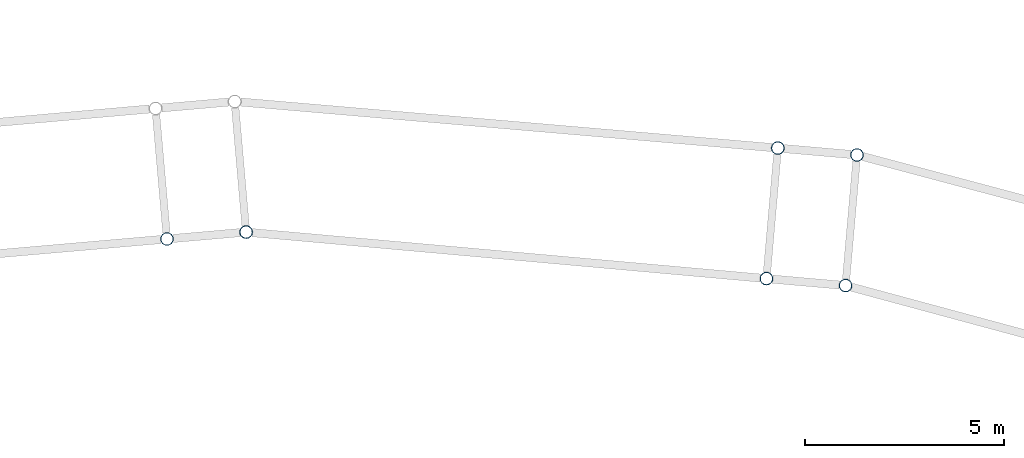
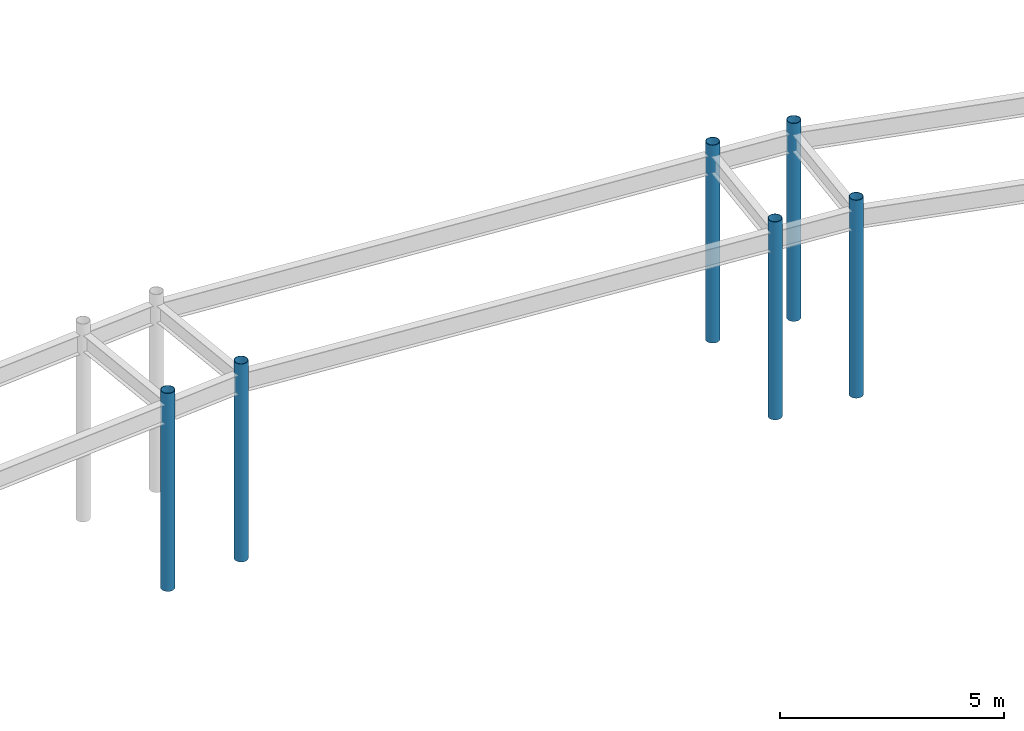
# One storey, part 12 of 93: 6 columns.
"""IFC4 building model written with IfcOpenShell, lengths in metres."""

from ifc_helpers import new_model, si_unit, direction, frame, origin, origin_2d, place, context, subcontext, project, spatial, hollow_circle, extrude, material, material_profile, profile_set, type_object, element, save


model = new_model("IFC4")

# Units and contexts
model_context = context("Model", 3, precision=1e-05, world=origin(), true_north=direction((0.0, 1.0)))
body_context = subcontext(model_context, "Body", "Model", "MODEL_VIEW")
ifc_project = project(units=[si_unit("LENGTHUNIT", "METRE"), si_unit("AREAUNIT", "SQUARE_METRE"), si_unit("VOLUMEUNIT", "CUBIC_METRE"), si_unit("PLANEANGLEUNIT", "RADIAN"), si_unit("MASSUNIT", "GRAM", prefix="KILO")], contexts=[model_context])

# Site, building, storey
site_placement = place(None, origin())
site = spatial("IfcSite", under=ifc_project, at=site_placement, CompositionType="ELEMENT")
building_placement = place(site_placement, origin())
building = spatial("IfcBuilding", under=site, at=building_placement, Name="Cinderbank Siding Concert Hall", CompositionType="ELEMENT")
storey_placement = place(building_placement, origin())
storey = spatial("IfcBuildingStorey", under=building, at=storey_placement, Name="L01", CompositionType="ELEMENT", Elevation=0.0)

# Columns
ifc_material = material(Name="Structural steel hollow section AS/NZS 1163 Grade C350L0 (350 MPa)", Category="steel")
ifc_material_profile = material_profile(ifc_material, hollow_circle(Radius=0.161865234375, WallThickness=0.0126953125, at=origin_2d()), Name="323.9x12.7CHS", Category="LoadBearing")
ifc_profile_set = profile_set([ifc_material_profile], Name="Structural steel hollow section AS/NZS 1163 Grade C350L0 (350 MPa)")
column_type = type_object("IfcColumnType", Name="C-CHS323 323.9x12.7CHS", PredefinedType="COLUMN", material=ifc_profile_set)
for number, where, z_axis, x_axis, name in (
    (1, (77.489013671875, 98.97412109375, 0.0), (0.0, 0.0, 1.0), (1.0, 0.0, 0.0), "L01 Column COL-BRR-03"),
    (2, (79.48095703125, 99.14794921875, 0.0), (0.0, 0.0, 1.0), (1.0, 0.0, 0.0), "L01 Column COL-BRR-04"),
    (3, (92.8701171875, 101.263916015625, 0.0), (0.0, 0.0, 1.0), (1.0, 0.0, 0.0), "L01 Column COL-BRL-05"),
    (4, (92.5830078125, 97.97705078125, 0.0), (0.0, 0.0, 1.0), (1.0, 0.0, 0.0), "L01 Column COL-BRR-05"),
    (5, (94.863037109375, 101.090087890625, 0.0), (0.0, 0.0, 1.0), (1.0, 0.0, 0.0), "L01 Column COL-BRL-06"),
    (6, (94.574951171875, 97.802001953125, 0.0), (0.0, 0.0, 1.0), (1.0, 0.0, 0.0), "L01 Column COL-BRR-06"),
):
    element("IfcColumn", number, at=place(storey_placement, frame(where, z_axis=z_axis, x_axis=x_axis)), inside=storey, type_object=column_type, Name=name, PredefinedType="COLUMN", context=body_context, shape_type="SweptSolid", body=[
        extrude(hollow_circle(Radius=0.161865234375, WallThickness=0.0126953125, at=origin_2d()), origin(), (0.0, 0.0, 1.0), 5.39990234375),
    ])

save(model, "model.ifc")
